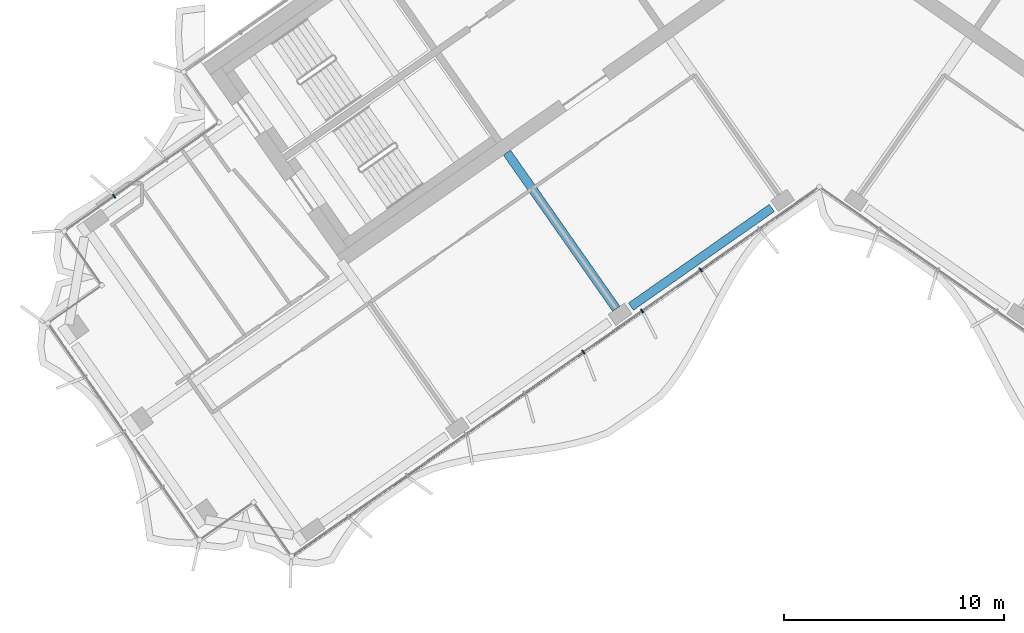
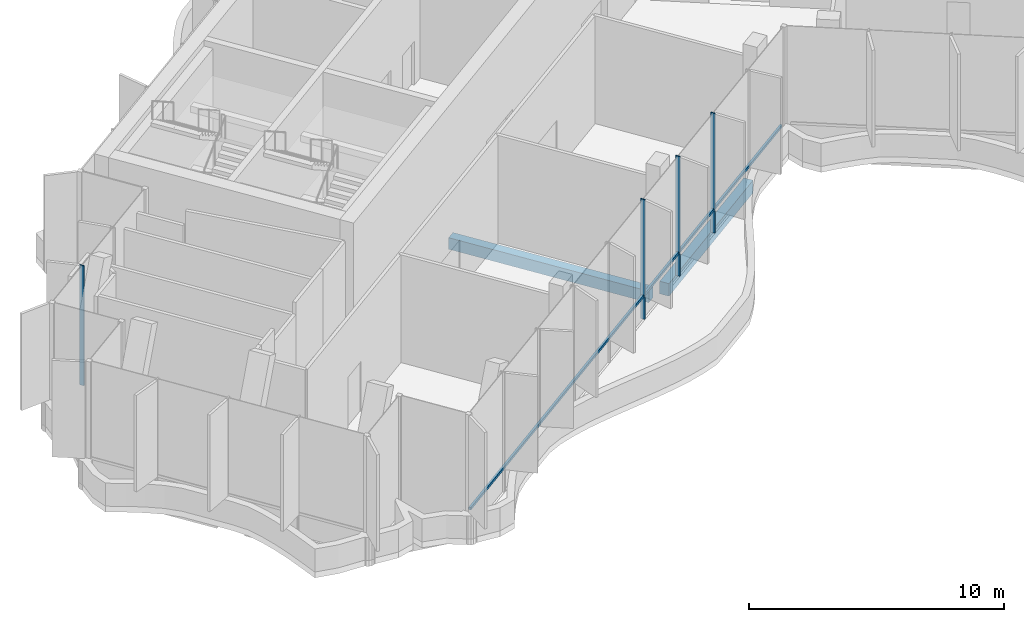
# One storey, part 3 of 22: 5 members, 2 beams, 1 element without a shape of its own.
"""IFC4 building model written with IfcOpenShell, lengths in metres."""

from ifc_helpers import new_model, si_unit, direction, frame, origin, origin_2d, place, context, subcontext, project, spatial, rectangle, extrude, material, material_profile, profile_set, type_object, element, aggregate, save


model = new_model("IFC4")

# Units and contexts
model_context = context("Model", 3, precision=1e-05, world=origin(), true_north=direction((0.0, 1.0)))
body_context = subcontext(model_context, "Body", "Model", "MODEL_VIEW")
ifc_project = project(units=[si_unit("LENGTHUNIT", "METRE"), si_unit("AREAUNIT", "SQUARE_METRE"), si_unit("VOLUMEUNIT", "CUBIC_METRE"), si_unit("PLANEANGLEUNIT", "RADIAN"), si_unit("MASSUNIT", "GRAM", prefix="KILO")], contexts=[model_context])

# Site, building, storey
site_placement = place(None, origin())
site = spatial("IfcSite", under=ifc_project, at=site_placement, CompositionType="ELEMENT")
building_placement = place(site_placement, origin())
building = spatial("IfcBuilding", under=site, at=building_placement, Name="Tel Ilan Convention Tower", CompositionType="ELEMENT")
storey_placement = place(building_placement, frame((0.0, 0.0, 219.39990234375)))
storey = spatial("IfcBuildingStorey", under=building, at=storey_placement, Name="L51", CompositionType="ELEMENT", Elevation=219.39990234375)

# Beams
ifc_material_1 = material(Name="Concrete C40/50", Category="concrete")
ifc_material_profile_1 = material_profile(ifc_material_1, rectangle(XDim=0.39990234375, YDim=0.550048828125, at=origin_2d()), Name="RC 400x550")
ifc_profile_set_1 = profile_set([ifc_material_profile_1], Name="Concrete C40/50")
beam_type_1 = type_object("IfcBeamType", Name="Beam RC 400x550 Concrete C40/50", PredefinedType="BEAM", material=ifc_profile_set_1)
beam_1_placement = place(storey_placement, frame((-9.209716796875, -18.229248046875, -0.554931640625), z_axis=(-0.573574099654, 0.819153680457, 0.0), x_axis=(-0.819153680457, -0.573574099654, 0.0)))
element("IfcBeam", 1, at=beam_1_placement, inside=storey, type_object=beam_type_1, Name="L51 beam W-W-F2-core", PredefinedType="BEAM", context=body_context, shape_type="SweptSolid", body=[
    extrude(rectangle(XDim=0.39990234375, YDim=0.550048828125, at=origin_2d()), origin(), (0.0, 0.0, 1.0), 8.64990234375),
])
ifc_material_2 = material(Name="Concrete C40/50", Category="concrete")
ifc_material_profile_2 = material_profile(ifc_material_2, rectangle(XDim=0.39990234375, YDim=0.60009765625, at=origin_2d()), Name="RC 400x600")
ifc_profile_set_2 = profile_set([ifc_material_profile_2], Name="Concrete C40/50")
beam_type_2 = type_object("IfcBeamType", Name="Beam RC 400x600 Concrete C40/50", PredefinedType="BEAM", material=ifc_profile_set_2)
beam_2_placement = place(storey_placement, frame((-2.15673828125, -13.656982421875, -0.579833984375), z_axis=(-0.819153977895, -0.573573674866, 0.0), x_axis=(0.573573674866, -0.819153977895, 0.0)))
element("IfcBeam", 2, at=beam_2_placement, inside=storey, type_object=beam_type_2, Name="L51 beam W-W-F1-W-F2", PredefinedType="BEAM", context=body_context, shape_type="SweptSolid", body=[
    extrude(rectangle(XDim=0.39990234375, YDim=0.60009765625, at=origin_2d()), origin(), (0.0, 0.0, 1.0), 7.800048828125),
])

# Curtain wall, members
ifc_material_3 = material(Name="Aluminium, bronze anodised", Category="aluminium")
curtain_wall_type = type_object("IfcCurtainWallType", Name="CW5 STICK CURTAIN WALL, UPPER OFFICE LOW-IRON TINTED GLASS", PredefinedType="NOTDEFINED", material=ifc_material_3)
curtain_wall_placement = place(storey_placement, origin())
curtain_wall = element("IfcCurtainWall", 3, at=curtain_wall_placement, inside=storey, type_object=curtain_wall_type, Name="Curtain wall CW5-40.02", PredefinedType="NOTDEFINED")
ifc_material_4 = material(Name="Aluminium, bronze anodised", Category="aluminium")
ifc_material_profile_3 = material_profile(ifc_material_4, rectangle(XDim=0.06005859375, YDim=0.199951171875, at=origin_2d()), Name="CW MULLION 60x200")
ifc_profile_set_3 = profile_set([ifc_material_profile_3], Name="Aluminium, bronze anodised")
member_type_1 = type_object("IfcMemberType", Name="CW MULLION 60x200", PredefinedType="MULLION", material=ifc_profile_set_3)
member_1_placement = place(storey_placement, frame((-31.991943359375, -13.123046875, 0.0), z_axis=(0.0, 0.0, 1.0), x_axis=(-0.819152044289, -0.573576436351, 0.0)))
member_1 = element("IfcMember", 4, at=member_1_placement, type_object=member_type_1, Name="Mullion", PredefinedType="MULLION", context=body_context, shape_type="SweptSolid", body=[
    extrude(rectangle(XDim=0.06005859375, YDim=0.199951171875, at=origin_2d()), origin(), (0.0, 0.0, 1.0), 5.72021484375),
])
member_2_placement = place(storey_placement, frame((-10.70556640625, -20.192138671875, 0.0), z_axis=(0.0, 0.0, 1.0), x_axis=(0.819152044289, 0.573576436351, 0.0)))
member_2 = element("IfcMember", 5, at=member_2_placement, type_object=member_type_1, Name="Mullion", PredefinedType="MULLION", context=body_context, shape_type="SweptSolid", body=[
    extrude(rectangle(XDim=0.06005859375, YDim=0.199951171875, at=origin_2d()), origin(), (0.0, 0.0, 1.0), 5.72021484375),
])
member_3_placement = place(storey_placement, frame((-8.04345703125, -18.328125, 0.0), z_axis=(0.0, 0.0, 1.0), x_axis=(0.819152044289, 0.573576436351, 0.0)))
member_3 = element("IfcMember", 6, at=member_3_placement, type_object=member_type_1, Name="Mullion", PredefinedType="MULLION", context=body_context, shape_type="SweptSolid", body=[
    extrude(rectangle(XDim=0.06005859375, YDim=0.199951171875, at=origin_2d()), origin(), (0.0, 0.0, 1.0), 5.72021484375),
])
member_4_placement = place(storey_placement, frame((-5.38134765625, -16.464111328125, 0.0), z_axis=(0.0, 0.0, 1.0), x_axis=(0.819152044289, 0.573576436351, 0.0)))
member_4 = element("IfcMember", 7, at=member_4_placement, type_object=member_type_1, Name="Mullion", PredefinedType="MULLION", context=body_context, shape_type="SweptSolid", body=[
    extrude(rectangle(XDim=0.06005859375, YDim=0.199951171875, at=origin_2d()), origin(), (0.0, 0.0, 1.0), 5.72021484375),
])
ifc_material_5 = material(Name="Aluminium, bronze anodised", Category="aluminium")
ifc_material_profile_4 = material_profile(ifc_material_5, rectangle(XDim=0.10009765625, YDim=0.1201171875, at=origin_2d()), Name="CW TRANSOM 100x120")
ifc_profile_set_4 = profile_set([ifc_material_profile_4], Name="Aluminium, bronze anodised")
member_type_2 = type_object("IfcMemberType", Name="CW TRANSOM 100x120", PredefinedType="USERDEFINED", material=ifc_profile_set_4)
member_5_placement = place(storey_placement, frame((-23.85205078125, -29.3974609375, 1.10009765625), z_axis=(0.819150008568, 0.573579343651, 0.0), x_axis=(-0.573579343651, 0.819150008568, 0.0)))
member_5 = element("IfcMember", 8, at=member_5_placement, type_object=member_type_2, Name="Transom", ObjectType="TRANSOM", PredefinedType="USERDEFINED", context=body_context, shape_type="SweptSolid", body=[
    extrude(rectangle(XDim=0.10009765625, YDim=0.1201171875, at=origin_2d()), origin(), (0.0, 0.0, 1.0), 28.84814453125),
])
aggregate(curtain_wall, [member_1, member_2, member_3, member_4, member_5])

save(model, "model.ifc")
